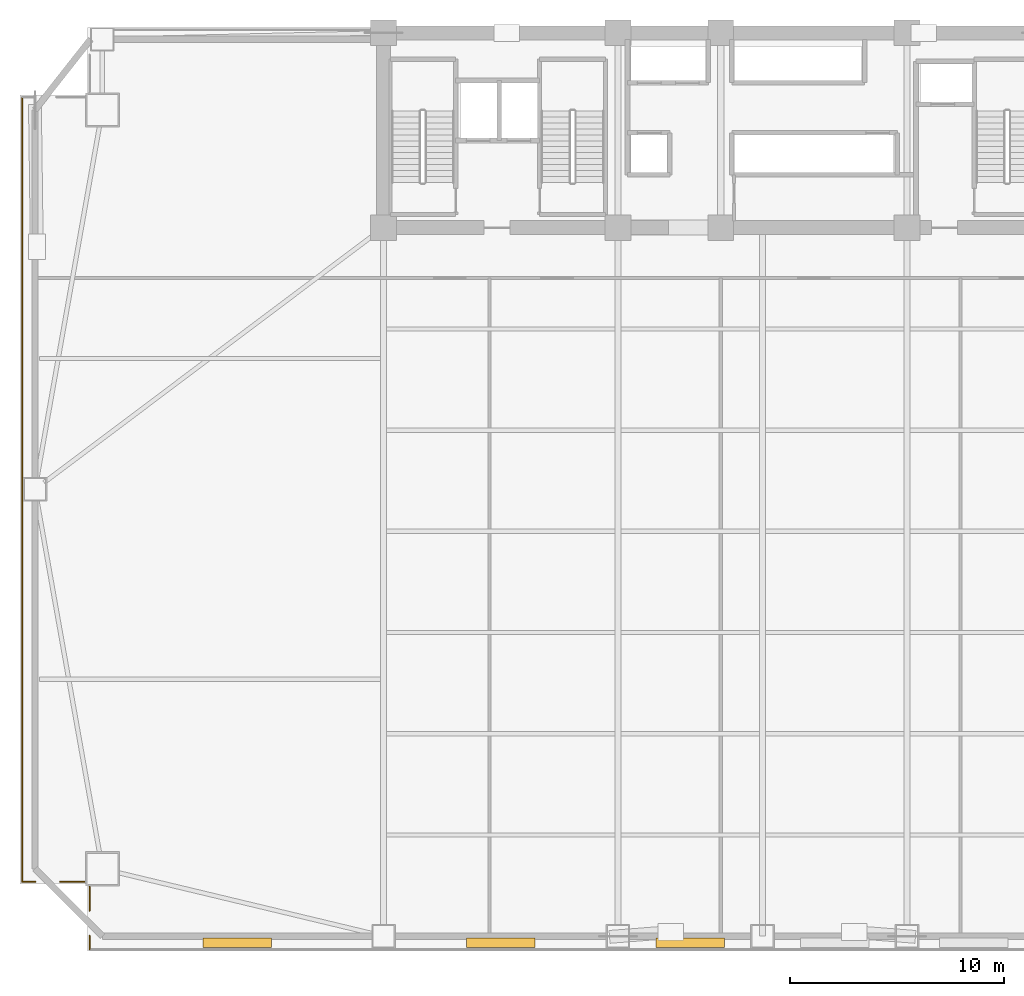
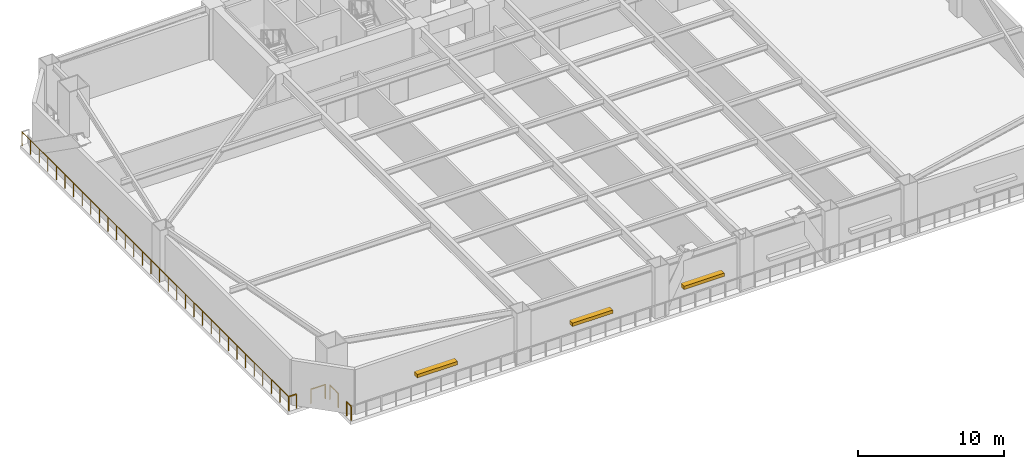
# One storey, part 5 of 9: 5 railings, 3 shading devices.
"""IFC4 building model written with IfcOpenShell, lengths in metres."""

import ifcopenshell
import ifcopenshell.guid

model = None  # the IFC model being written
_history = None  # IfcOwnerHistory: only IFC2X3 demands one
_inside = {}  # id of a spatial element -> (the spatial element, [elements in it])
_under = {}  # id of a project, library or spatial element -> (it, [spatial elements below it])
_declared = {}  # id of a project -> (the project, [libraries it declares])
_typed = {}  # id of a type object -> (the type object, [elements of that type])
_made_of = {}  # id of a material, layer set ... -> (it, [elements and type objects made of it])


def new_model(schema):
    """Start an empty IFC model of exactly this schema.

    Asked for "IFC4X3", IfcOpenShell would pick the latest addendum, in which some entities
    have other attributes; the version numbers below select the first issue.
    IFC2X3 requires an IfcOwnerHistory on every rooted entity: one is made here for all.
    """
    global model, _history
    if schema == "IFC4X3":
        model = ifcopenshell.file(schema_version=(4, 3, 0, 0))
    else:
        model = ifcopenshell.file(schema=schema)
    _inside.clear()
    _under.clear()
    _declared.clear()
    _typed.clear()
    _made_of.clear()
    _history = None
    if model.schema == "IFC2X3":
        org = make("IfcOrganization", Name="unknown")
        user = make(
            "IfcPersonAndOrganization",
            ThePerson=make("IfcPerson", FamilyName="unknown"),
            TheOrganization=org,
        )
        app = make(
            "IfcApplication",
            ApplicationDeveloper=org,
            Version="unknown",
            ApplicationFullName="unknown",
            ApplicationIdentifier="unknown",
        )
        _history = make(
            "IfcOwnerHistory",
            OwningUser=user,
            OwningApplication=app,
            ChangeAction="ADDED",
            CreationDate=0,
        )
    return model


def make(cls, **values):
    """One entity of the class cls with the attributes given. An attribute that is None is left unset."""
    return model.create_entity(
        cls, **{name: value for name, value in values.items() if value is not None}
    )


def rooted(cls, **values):
    """An entity with a GlobalId (a new one), such as an element, a storey or a relation."""
    return make(cls, GlobalId=ifcopenshell.guid.new(), OwnerHistory=_history, **values)


def si_unit(unit_type, name, prefix=None):
    """IfcSIUnit, for example si_unit("LENGTHUNIT", "METRE", prefix="MILLI")."""
    return make("IfcSIUnit", UnitType=unit_type, Prefix=prefix, Name=name)


def assignment(units):
    """IfcUnitAssignment: the units of a project."""
    return None if units is None else make("IfcUnitAssignment", Units=units)


def point(xyz):
    """IfcCartesianPoint."""
    return None if xyz is None else make("IfcCartesianPoint", Coordinates=xyz)


def direction(xyz):
    """IfcDirection."""
    return None if xyz is None else make("IfcDirection", DirectionRatios=xyz)


def frame(location, z_axis=None, x_axis=None):
    """IfcAxis2Placement3D, a coordinate frame: its origin and axes. An axis left out is left unset."""
    return make(
        "IfcAxis2Placement3D",
        Location=point(location),
        Axis=direction(z_axis),
        RefDirection=direction(x_axis),
    )


def frame_2d(location, x_axis=None):
    """IfcAxis2Placement2D, a coordinate frame in the plane: its origin and x axis."""
    return make(
        "IfcAxis2Placement2D", Location=point(location), RefDirection=direction(x_axis)
    )


def origin():
    """The frame at (0, 0, 0) with its axes left unset."""
    return frame((0.0, 0.0, 0.0))


def origin_2d():
    """The frame at (0, 0) in the plane with its x axis left unset."""
    return frame_2d((0.0, 0.0))


def place(relative_to, where):
    """IfcLocalPlacement: puts the frame where relative to a parent placement (None: the world)."""
    return make(
        "IfcLocalPlacement", PlacementRelTo=relative_to, RelativePlacement=where
    )


def context(
    kind, dimensions, precision=None, world=None, true_north=None, identifier=None
):
    """IfcGeometricRepresentationContext, for example the 3D "Model" context."""
    return make(
        "IfcGeometricRepresentationContext",
        ContextIdentifier=identifier,
        ContextType=kind,
        CoordinateSpaceDimension=dimensions,
        Precision=precision,
        WorldCoordinateSystem=world,
        TrueNorth=true_north,
    )


def subcontext(parent, identifier, kind, view, scale=None):
    """IfcGeometricRepresentationSubContext, for example "Body" below "Model"."""
    return make(
        "IfcGeometricRepresentationSubContext",
        ContextIdentifier=identifier,
        ContextType=kind,
        ParentContext=parent,
        TargetScale=scale,
        TargetView=view,
    )


def project(units=None, contexts=None):
    """IfcProject with its units and contexts."""
    return rooted(
        "IfcProject",
        Name="project",
        RepresentationContexts=contexts,
        UnitsInContext=assignment(units),
    )


def spatial(cls, under=None, at=None, **own):
    """A site, building, storey or space (cls), placed at a placement, below another one or the project."""
    s = rooted(cls, ObjectPlacement=at, **own)
    if under is not None:
        _under.setdefault(under.id(), (under, []))[1].append(s)
    return s


def profile(cls, at=None, kind="AREA", **sizes):
    """A parametric profile (cls). Its sizes go by their IFC names, for example OverallWidth=200.0."""
    return make(cls, ProfileType=kind, Position=at, **sizes)


def rectangle(**sizes):
    """IfcRectangleProfileDef."""
    return profile("IfcRectangleProfileDef", **sizes)


def extrude(swept, where, along, depth):
    """IfcExtrudedAreaSolid: the profile swept, set in the frame where, extruded along a direction by depth."""
    return make(
        "IfcExtrudedAreaSolid",
        SweptArea=swept,
        Position=where,
        ExtrudedDirection=direction(along),
        Depth=depth,
    )


def shape(context_of_items, identifier, shape_type, items):
    """IfcShapeRepresentation: the items that make up one representation, for example the "Body"."""
    return make(
        "IfcShapeRepresentation",
        ContextOfItems=context_of_items,
        RepresentationIdentifier=identifier,
        RepresentationType=shape_type,
        Items=items,
    )


def source(mapping_origin, context_of_items, identifier, shape_type, items):
    """IfcRepresentationMap: a shape defined once, which mapped items show again and again."""
    return make(
        "IfcRepresentationMap",
        MappingOrigin=mapping_origin,
        MappedRepresentation=shape(context_of_items, identifier, shape_type, items),
    )


def transform(
    local_origin,
    x_axis=None,
    y_axis=None,
    z_axis=None,
    scale=None,
    scale2=None,
    scale3=None,
    uniform=True,
):
    """IfcCartesianTransformationOperator3D, or its non-uniform kind. x_axis, y_axis, z_axis: its Axis1, 2, 3."""
    if uniform:
        return make(
            "IfcCartesianTransformationOperator3D",
            Axis1=direction(x_axis),
            Axis2=direction(y_axis),
            LocalOrigin=point(local_origin),
            Scale=scale,
            Axis3=direction(z_axis),
        )
    return make(
        "IfcCartesianTransformationOperator3DnonUniform",
        Axis1=direction(x_axis),
        Axis2=direction(y_axis),
        LocalOrigin=point(local_origin),
        Scale=scale,
        Axis3=direction(z_axis),
        Scale2=scale2,
        Scale3=scale3,
    )


def mapped(mapping_source, mapping_target):
    """IfcMappedItem: shows the shape of a source again, moved by a transform."""
    return make(
        "IfcMappedItem", MappingSource=mapping_source, MappingTarget=mapping_target
    )


def material(Name=None, Category=None):
    """IfcMaterial."""
    return make("IfcMaterial", Name=Name, Category=Category)


def made_of(thing, what):
    """Note that an element or type object is made of a material, layer set ...; save() writes the relation."""
    if what is not None:
        _made_of.setdefault(what.id(), (what, []))[1].append(thing)
    return thing


def type_object(cls, material=None, **own):
    """A type object (cls), such as IfcWallType, which elements share."""
    return made_of(rooted(cls, **own), material)


def element(
    cls,
    number,
    at=None,
    inside=None,
    cuts=None,
    type_object=None,
    material=None,
    context=None,
    identifier="Body",
    shape_type=None,
    held_by="IfcProductDefinitionShape",
    body=None,
    shapes=None,
    **own,
):
    """One element of the class cls, such as IfcWall. Its Tag is "e" and its number.

    at: its placement. inside: the storey or other place that contains it. cuts: it is an
    opening in that element (IfcRelVoidsElement). A single representation is given by context,
    identifier, shape_type and body (its items); several are given by shapes. held_by: the class
    of the entity that holds the representations. save() writes the other relations.
    """
    e = rooted(cls, Tag="e%d" % number, ObjectPlacement=at, **own)
    if body is not None:
        shapes = [shape(context, identifier, shape_type, body)]
    if shapes is not None:
        e.Representation = make(held_by, Representations=shapes)
    if inside is not None:
        _inside.setdefault(inside.id(), (inside, []))[1].append(e)
    if cuts is not None:
        rooted(
            "IfcRelVoidsElement", RelatingBuildingElement=cuts, RelatedOpeningElement=e
        )
    if type_object is not None:
        _typed.setdefault(type_object.id(), (type_object, []))[1].append(e)
    return made_of(e, material)


def aggregate(whole, parts):
    """IfcRelAggregates: a whole, such as a stair, and the parts it consists of."""
    return rooted("IfcRelAggregates", RelatingObject=whole, RelatedObjects=parts)


def save(model, path):
    """Write the relations noted so far, then the file.

    IfcRelAggregates (storeys below a building ...), IfcRelContainedInSpatialStructure (elements
    in a storey), IfcRelDefinesByType, IfcRelAssociatesMaterial and IfcRelDeclares: one each for
    every whole, place, type object, material and project.
    """
    for whole, parts in _under.values():
        aggregate(whole, parts)
    for where, things in _inside.values():
        rooted(
            "IfcRelContainedInSpatialStructure",
            RelatedElements=things,
            RelatingStructure=where,
        )
    for kind, things in _typed.values():
        rooted("IfcRelDefinesByType", RelatedObjects=things, RelatingType=kind)
    for what, things in _made_of.values():
        rooted("IfcRelAssociatesMaterial", RelatedObjects=things, RelatingMaterial=what)
    for by, libraries in _declared.values():
        rooted("IfcRelDeclares", RelatingContext=by, RelatedDefinitions=libraries)
    model.write(path)


model = new_model("IFC4")

# Units and contexts
model_context = context("Model", 3, precision=1e-05, world=origin(), true_north=direction((0.0, 1.0)))
body_context = subcontext(model_context, "Body", "Model", "MODEL_VIEW")
ifc_project = project(units=[si_unit("LENGTHUNIT", "METRE"), si_unit("AREAUNIT", "SQUARE_METRE"), si_unit("VOLUMEUNIT", "CUBIC_METRE"), si_unit("PLANEANGLEUNIT", "RADIAN"), si_unit("MASSUNIT", "GRAM", prefix="KILO")], contexts=[model_context])

# Site, building, storey
site_placement = place(None, origin())
site = spatial("IfcSite", under=ifc_project, at=site_placement, CompositionType="ELEMENT")
building_placement = place(site_placement, origin())
building = spatial("IfcBuilding", under=site, at=building_placement, Name="Giltprow Tower", CompositionType="ELEMENT")
storey_placement = place(building_placement, frame((0.0, 0.0, 48.800048828125)))
storey = spatial("IfcBuildingStorey", under=building, at=storey_placement, Name="L12", CompositionType="ELEMENT", Elevation=48.800048828125)

# Railings
ifc_material = material(Name="Anodized bronze", Category="metal")
railing_type = type_object("IfcRailingType", Name="RAIL-BALC-GUARD-1200", PredefinedType="BALUSTRADE", material=ifc_material)
railing_1_placement = place(storey_placement, frame((5.883056640625, 6.902099609375, 0.0)))
element("IfcRailing", 1, at=railing_1_placement, inside=storey, type_object=railing_type, Name="L12 Corner Apron Edge Balustrade 1", PredefinedType="BALUSTRADE", context=body_context, shape_type="SweptSolid", body=[
    extrude(rectangle(XDim=0.048095703125, YDim=0.048095703125, at=origin_2d()), frame((0.0, 0.0, 1.17578125), z_axis=(-1.0, 0.0, 0.0), x_axis=(0.0, -1.0, 0.0)), (0.0, 0.0, 1.0), 1.133056640625),
    extrude(rectangle(XDim=0.0419921875, YDim=0.0419921875, at=origin_2d()), origin(), (0.0, 0.0, 1.0), 1.15185546875),
    extrude(rectangle(XDim=0.0419921875, YDim=0.0419921875, at=origin_2d()), frame((-1.133056640625, 0.0, 0.0)), (0.0, 0.0, 1.0), 1.15185546875),
])
railing_2_placement = place(storey_placement, frame((3.590087890625, 6.902099609375, 0.0)))
element("IfcRailing", 2, at=railing_2_placement, inside=storey, type_object=railing_type, Name="L12 Corner Apron Edge Balustrade 2", PredefinedType="BALUSTRADE", context=body_context, shape_type="SweptSolid", body=[
    extrude(rectangle(XDim=0.048095703125, YDim=0.048095703125, at=origin_2d()), frame((0.0, 0.0, 1.17578125), z_axis=(-1.0, 0.0, 0.0), x_axis=(0.0, -1.0, 0.0)), (0.0, 0.0, 1.0), 0.6201171875),
    extrude(rectangle(XDim=0.0419921875, YDim=0.0419921875, at=origin_2d()), origin(), (0.0, 0.0, 1.0), 1.15185546875),
    extrude(rectangle(XDim=0.0419921875, YDim=0.0419921875, at=origin_2d()), frame((-0.6201171875, 0.0, 0.0)), (0.0, 0.0, 1.0), 1.15185546875),
])
railing_3_placement = place(storey_placement, frame((2.969970703125, 6.902099609375, 0.0)))
element("IfcRailing", 3, at=railing_3_placement, inside=storey, type_object=railing_type, Name="L12 Corner Apron Edge Balustrade 3", PredefinedType="BALUSTRADE", context=body_context, shape_type="SweptSolid", body=[
    extrude(rectangle(XDim=0.048095703125, YDim=0.048095703125, at=origin_2d()), frame((0.0, 0.0, 1.17578125), z_axis=(0.0, 1.0, 0.0), x_axis=(-1.0, 0.0, 0.0)), (0.0, 0.0, 1.0), 36.64990234375),
    extrude(rectangle(XDim=0.0419921875, YDim=0.0419921875, at=origin_2d()), origin(), (0.0, 0.0, 1.0), 1.15185546875),
    extrude(rectangle(XDim=0.0419921875, YDim=0.0419921875, at=origin_2d()), frame((0.0, 1.182373046875, 0.0)), (0.0, 0.0, 1.0), 1.15185546875),
    extrude(rectangle(XDim=0.0419921875, YDim=0.0419921875, at=origin_2d()), frame((0.0, 2.364501953125, 0.0)), (0.0, 0.0, 1.0), 1.15185546875),
    extrude(rectangle(XDim=0.0419921875, YDim=0.0419921875, at=origin_2d()), frame((0.0, 3.546875, 0.0)), (0.0, 0.0, 1.0), 1.15185546875),
    extrude(rectangle(XDim=0.0419921875, YDim=0.0419921875, at=origin_2d()), frame((0.0, 4.72900390625, 0.0)), (0.0, 0.0, 1.0), 1.15185546875),
    extrude(rectangle(XDim=0.0419921875, YDim=0.0419921875, at=origin_2d()), frame((0.0, 5.911376953125, 0.0)), (0.0, 0.0, 1.0), 1.15185546875),
    extrude(rectangle(XDim=0.0419921875, YDim=0.0419921875, at=origin_2d()), frame((0.0, 7.093505859375, 0.0)), (0.0, 0.0, 1.0), 1.15185546875),
    extrude(rectangle(XDim=0.0419921875, YDim=0.0419921875, at=origin_2d()), frame((0.0, 8.27587890625, 0.0)), (0.0, 0.0, 1.0), 1.15185546875),
    extrude(rectangle(XDim=0.0419921875, YDim=0.0419921875, at=origin_2d()), frame((0.0, 9.4580078125, 0.0)), (0.0, 0.0, 1.0), 1.15185546875),
    extrude(rectangle(XDim=0.0419921875, YDim=0.0419921875, at=origin_2d()), frame((0.0, 10.640380859375, 0.0)), (0.0, 0.0, 1.0), 1.15185546875),
    extrude(rectangle(XDim=0.0419921875, YDim=0.0419921875, at=origin_2d()), frame((0.0, 11.822509765625, 0.0)), (0.0, 0.0, 1.0), 1.15185546875),
    extrude(rectangle(XDim=0.0419921875, YDim=0.0419921875, at=origin_2d()), frame((0.0, 13.0048828125, 0.0)), (0.0, 0.0, 1.0), 1.15185546875),
    extrude(rectangle(XDim=0.0419921875, YDim=0.0419921875, at=origin_2d()), frame((0.0, 14.18701171875, 0.0)), (0.0, 0.0, 1.0), 1.15185546875),
    extrude(rectangle(XDim=0.0419921875, YDim=0.0419921875, at=origin_2d()), frame((0.0, 15.369384765625, 0.0)), (0.0, 0.0, 1.0), 1.15185546875),
    extrude(rectangle(XDim=0.0419921875, YDim=0.0419921875, at=origin_2d()), frame((0.0, 16.551513671875, 0.0)), (0.0, 0.0, 1.0), 1.15185546875),
    extrude(rectangle(XDim=0.0419921875, YDim=0.0419921875, at=origin_2d()), frame((0.0, 17.73388671875, 0.0)), (0.0, 0.0, 1.0), 1.15185546875),
    extrude(rectangle(XDim=0.0419921875, YDim=0.0419921875, at=origin_2d()), frame((0.0, 18.916015625, 0.0)), (0.0, 0.0, 1.0), 1.15185546875),
    extrude(rectangle(XDim=0.0419921875, YDim=0.0419921875, at=origin_2d()), frame((0.0, 20.098388671875, 0.0)), (0.0, 0.0, 1.0), 1.15185546875),
    extrude(rectangle(XDim=0.0419921875, YDim=0.0419921875, at=origin_2d()), frame((0.0, 21.280517578125, 0.0)), (0.0, 0.0, 1.0), 1.15185546875),
    extrude(rectangle(XDim=0.0419921875, YDim=0.0419921875, at=origin_2d()), frame((0.0, 22.462890625, 0.0)), (0.0, 0.0, 1.0), 1.15185546875),
    extrude(rectangle(XDim=0.0419921875, YDim=0.0419921875, at=origin_2d()), frame((0.0, 23.64501953125, 0.0)), (0.0, 0.0, 1.0), 1.15185546875),
    extrude(rectangle(XDim=0.0419921875, YDim=0.0419921875, at=origin_2d()), frame((0.0, 24.827392578125, 0.0)), (0.0, 0.0, 1.0), 1.15185546875),
    extrude(rectangle(XDim=0.0419921875, YDim=0.0419921875, at=origin_2d()), frame((0.0, 26.009521484375, 0.0)), (0.0, 0.0, 1.0), 1.15185546875),
    extrude(rectangle(XDim=0.0419921875, YDim=0.0419921875, at=origin_2d()), frame((0.0, 27.19189453125, 0.0)), (0.0, 0.0, 1.0), 1.15185546875),
    extrude(rectangle(XDim=0.0419921875, YDim=0.0419921875, at=origin_2d()), frame((0.0, 28.3740234375, 0.0)), (0.0, 0.0, 1.0), 1.15185546875),
    extrude(rectangle(XDim=0.0419921875, YDim=0.0419921875, at=origin_2d()), frame((0.0, 29.556396484375, 0.0)), (0.0, 0.0, 1.0), 1.15185546875),
    extrude(rectangle(XDim=0.0419921875, YDim=0.0419921875, at=origin_2d()), frame((0.0, 30.738525390625, 0.0)), (0.0, 0.0, 1.0), 1.15185546875),
    extrude(rectangle(XDim=0.0419921875, YDim=0.0419921875, at=origin_2d()), frame((0.0, 31.9208984375, 0.0)), (0.0, 0.0, 1.0), 1.15185546875),
    extrude(rectangle(XDim=0.0419921875, YDim=0.0419921875, at=origin_2d()), frame((0.0, 33.10302734375, 0.0)), (0.0, 0.0, 1.0), 1.15185546875),
    extrude(rectangle(XDim=0.0419921875, YDim=0.0419921875, at=origin_2d()), frame((0.0, 34.285400390625, 0.0)), (0.0, 0.0, 1.0), 1.15185546875),
    extrude(rectangle(XDim=0.0419921875, YDim=0.0419921875, at=origin_2d()), frame((0.0, 35.467529296875, 0.0)), (0.0, 0.0, 1.0), 1.15185546875),
    extrude(rectangle(XDim=0.0419921875, YDim=0.0419921875, at=origin_2d()), frame((0.0, 36.64990234375, 0.0)), (0.0, 0.0, 1.0), 1.15185546875),
])
railing_4_placement = place(storey_placement, frame((6.117919921875, 3.75390625, 0.0)))
element("IfcRailing", 4, at=railing_4_placement, inside=storey, type_object=railing_type, Name="L12 Corner Apron Edge Balustrade 18", PredefinedType="BALUSTRADE", context=body_context, shape_type="SweptSolid", body=[
    extrude(rectangle(XDim=0.048095703125, YDim=0.048095703125, at=origin_2d()), frame((0.0, 0.0, 1.17578125), z_axis=(0.0, 1.0, 0.0), x_axis=(-1.0, 0.0, 0.0)), (0.0, 0.0, 1.0), 0.6201171875),
    extrude(rectangle(XDim=0.0419921875, YDim=0.0419921875, at=origin_2d()), origin(), (0.0, 0.0, 1.0), 1.15185546875),
    extrude(rectangle(XDim=0.0419921875, YDim=0.0419921875, at=origin_2d()), frame((0.0, 0.6201171875, 0.0)), (0.0, 0.0, 1.0), 1.15185546875),
])
railing_5_placement = place(storey_placement, frame((6.117919921875, 5.533935546875, 0.0)))
element("IfcRailing", 5, at=railing_5_placement, inside=storey, type_object=railing_type, Name="L12 Corner Apron Edge Balustrade 19", PredefinedType="BALUSTRADE", context=body_context, shape_type="SweptSolid", body=[
    extrude(rectangle(XDim=0.048095703125, YDim=0.048095703125, at=origin_2d()), frame((0.0, 0.0, 1.17578125), z_axis=(0.0, 1.0, 0.0), x_axis=(-1.0, 0.0, 0.0)), (0.0, 0.0, 1.0), 1.133056640625),
    extrude(rectangle(XDim=0.0419921875, YDim=0.0419921875, at=origin_2d()), origin(), (0.0, 0.0, 1.0), 1.15185546875),
    extrude(rectangle(XDim=0.0419921875, YDim=0.0419921875, at=origin_2d()), frame((0.0, 1.133056640625, 0.0)), (0.0, 0.0, 1.0), 1.15185546875),
])

# Shading devices
shading_device_type = type_object("IfcShadingDeviceType", Name="SHD-LOUVRE-320", PredefinedType="JALOUSIE", material=ifc_material)
shared_shape = source(origin(), body_context, "Body", "SweptSolid", [
    extrude(rectangle(XDim=3.199951171875, YDim=0.449951171875, at=origin_2d()), origin(), (0.0, 0.0, 1.0), 0.280029296875),
])
for number, where, z_axis, x_axis, name in (
    (6, (13.009033203125, 4.0439453125, 1.66015625), (0.0, 0.0, 1.0), (1.0, 0.0, 0.0), "L12 Refuge Intake Louvre S-1"),
    (7, (25.324951171875, 4.0439453125, 1.66015625), (0.0, 0.0, 1.0), (1.0, 0.0, 0.0), "L12 Refuge Intake Louvre S-2"),
    (8, (34.175048828125, 4.0439453125, 1.66015625), (0.0, 0.0, 1.0), (1.0, 0.0, 0.0), "L12 Refuge Intake Louvre S-3"),
):
    element("IfcShadingDevice", number, at=place(storey_placement, frame(where, z_axis=z_axis, x_axis=x_axis)), inside=storey, type_object=shading_device_type, Name=name, PredefinedType="JALOUSIE", context=body_context, shape_type="MappedRepresentation", body=[
        mapped(shared_shape, transform((0.0, 0.0, 0.0), x_axis=(1.0, 0.0, 0.0), y_axis=(0.0, 1.0, 0.0), z_axis=(0.0, 0.0, 1.0), scale=1.0)),
    ])

save(model, "model.ifc")
